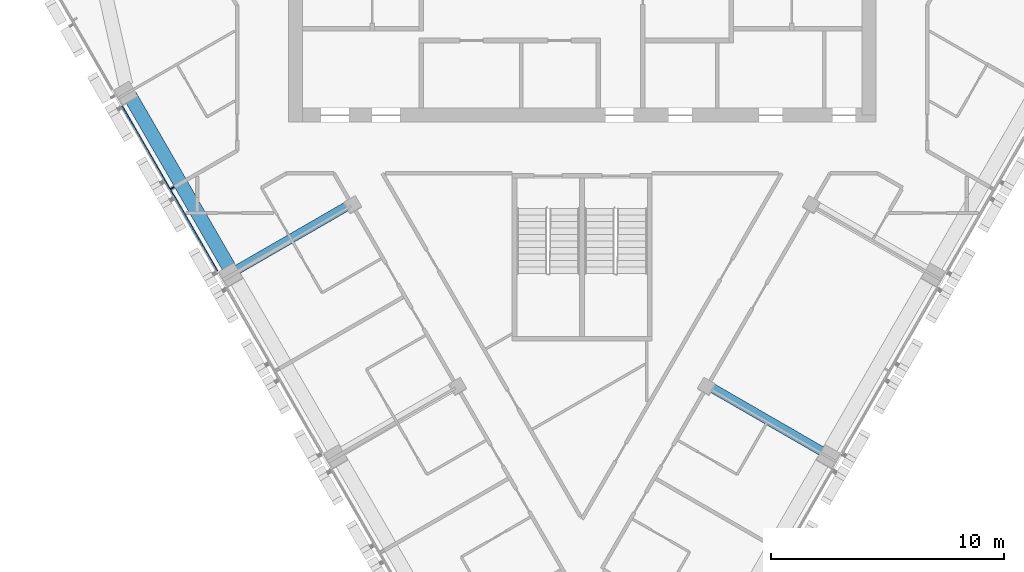
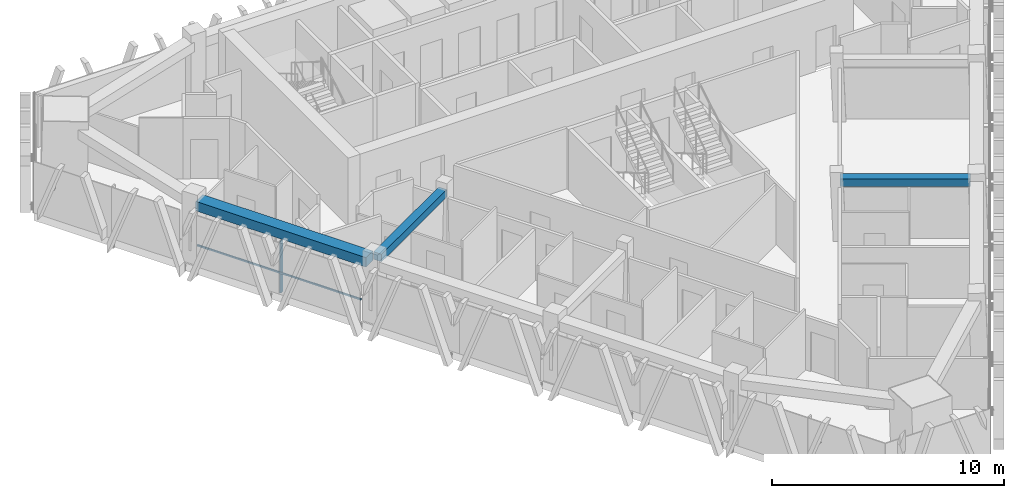
# One storey, part 3 of 15: 3 beams, 2 members, 1 element without a shape of its own.
"""IFC4 building model written with IfcOpenShell, lengths in metres."""

import ifcopenshell
import ifcopenshell.guid

model = None  # the IFC model being written
_history = None  # IfcOwnerHistory: only IFC2X3 demands one
_inside = {}  # id of a spatial element -> (the spatial element, [elements in it])
_under = {}  # id of a project, library or spatial element -> (it, [spatial elements below it])
_declared = {}  # id of a project -> (the project, [libraries it declares])
_typed = {}  # id of a type object -> (the type object, [elements of that type])
_made_of = {}  # id of a material, layer set ... -> (it, [elements and type objects made of it])


def new_model(schema):
    """Start an empty IFC model of exactly this schema.

    Asked for "IFC4X3", IfcOpenShell would pick the latest addendum, in which some entities
    have other attributes; the version numbers below select the first issue.
    IFC2X3 requires an IfcOwnerHistory on every rooted entity: one is made here for all.
    """
    global model, _history
    if schema == "IFC4X3":
        model = ifcopenshell.file(schema_version=(4, 3, 0, 0))
    else:
        model = ifcopenshell.file(schema=schema)
    _inside.clear()
    _under.clear()
    _declared.clear()
    _typed.clear()
    _made_of.clear()
    _history = None
    if model.schema == "IFC2X3":
        org = make("IfcOrganization", Name="unknown")
        user = make(
            "IfcPersonAndOrganization",
            ThePerson=make("IfcPerson", FamilyName="unknown"),
            TheOrganization=org,
        )
        app = make(
            "IfcApplication",
            ApplicationDeveloper=org,
            Version="unknown",
            ApplicationFullName="unknown",
            ApplicationIdentifier="unknown",
        )
        _history = make(
            "IfcOwnerHistory",
            OwningUser=user,
            OwningApplication=app,
            ChangeAction="ADDED",
            CreationDate=0,
        )
    return model


def make(cls, **values):
    """One entity of the class cls with the attributes given. An attribute that is None is left unset."""
    return model.create_entity(
        cls, **{name: value for name, value in values.items() if value is not None}
    )


def rooted(cls, **values):
    """An entity with a GlobalId (a new one), such as an element, a storey or a relation."""
    return make(cls, GlobalId=ifcopenshell.guid.new(), OwnerHistory=_history, **values)


def si_unit(unit_type, name, prefix=None):
    """IfcSIUnit, for example si_unit("LENGTHUNIT", "METRE", prefix="MILLI")."""
    return make("IfcSIUnit", UnitType=unit_type, Prefix=prefix, Name=name)


def assignment(units):
    """IfcUnitAssignment: the units of a project."""
    return None if units is None else make("IfcUnitAssignment", Units=units)


def point(xyz):
    """IfcCartesianPoint."""
    return None if xyz is None else make("IfcCartesianPoint", Coordinates=xyz)


def direction(xyz):
    """IfcDirection."""
    return None if xyz is None else make("IfcDirection", DirectionRatios=xyz)


def frame(location, z_axis=None, x_axis=None):
    """IfcAxis2Placement3D, a coordinate frame: its origin and axes. An axis left out is left unset."""
    return make(
        "IfcAxis2Placement3D",
        Location=point(location),
        Axis=direction(z_axis),
        RefDirection=direction(x_axis),
    )


def frame_2d(location, x_axis=None):
    """IfcAxis2Placement2D, a coordinate frame in the plane: its origin and x axis."""
    return make(
        "IfcAxis2Placement2D", Location=point(location), RefDirection=direction(x_axis)
    )


def origin():
    """The frame at (0, 0, 0) with its axes left unset."""
    return frame((0.0, 0.0, 0.0))


def origin_2d():
    """The frame at (0, 0) in the plane with its x axis left unset."""
    return frame_2d((0.0, 0.0))


def place(relative_to, where):
    """IfcLocalPlacement: puts the frame where relative to a parent placement (None: the world)."""
    return make(
        "IfcLocalPlacement", PlacementRelTo=relative_to, RelativePlacement=where
    )


def context(
    kind, dimensions, precision=None, world=None, true_north=None, identifier=None
):
    """IfcGeometricRepresentationContext, for example the 3D "Model" context."""
    return make(
        "IfcGeometricRepresentationContext",
        ContextIdentifier=identifier,
        ContextType=kind,
        CoordinateSpaceDimension=dimensions,
        Precision=precision,
        WorldCoordinateSystem=world,
        TrueNorth=true_north,
    )


def subcontext(parent, identifier, kind, view, scale=None):
    """IfcGeometricRepresentationSubContext, for example "Body" below "Model"."""
    return make(
        "IfcGeometricRepresentationSubContext",
        ContextIdentifier=identifier,
        ContextType=kind,
        ParentContext=parent,
        TargetScale=scale,
        TargetView=view,
    )


def project(units=None, contexts=None):
    """IfcProject with its units and contexts."""
    return rooted(
        "IfcProject",
        Name="project",
        RepresentationContexts=contexts,
        UnitsInContext=assignment(units),
    )


def spatial(cls, under=None, at=None, **own):
    """A site, building, storey or space (cls), placed at a placement, below another one or the project."""
    s = rooted(cls, ObjectPlacement=at, **own)
    if under is not None:
        _under.setdefault(under.id(), (under, []))[1].append(s)
    return s


def profile(cls, at=None, kind="AREA", **sizes):
    """A parametric profile (cls). Its sizes go by their IFC names, for example OverallWidth=200.0."""
    return make(cls, ProfileType=kind, Position=at, **sizes)


def rectangle(**sizes):
    """IfcRectangleProfileDef."""
    return profile("IfcRectangleProfileDef", **sizes)


def extrude(swept, where, along, depth):
    """IfcExtrudedAreaSolid: the profile swept, set in the frame where, extruded along a direction by depth."""
    return make(
        "IfcExtrudedAreaSolid",
        SweptArea=swept,
        Position=where,
        ExtrudedDirection=direction(along),
        Depth=depth,
    )


def shape(context_of_items, identifier, shape_type, items):
    """IfcShapeRepresentation: the items that make up one representation, for example the "Body"."""
    return make(
        "IfcShapeRepresentation",
        ContextOfItems=context_of_items,
        RepresentationIdentifier=identifier,
        RepresentationType=shape_type,
        Items=items,
    )


def material(Name=None, Category=None):
    """IfcMaterial."""
    return make("IfcMaterial", Name=Name, Category=Category)


def layer(
    of_material, thickness, ventilated=None, Name=None, Category=None, Priority=None
):
    """IfcMaterialLayer: one layer of a wall or slab, of a material (None: an air gap)."""
    return make(
        "IfcMaterialLayer",
        Material=of_material,
        LayerThickness=thickness,
        IsVentilated=ventilated,
        Name=Name,
        Category=Category,
        Priority=Priority,
    )


def layer_set(layers, Name=None):
    """IfcMaterialLayerSet."""
    return make("IfcMaterialLayerSet", MaterialLayers=layers, LayerSetName=Name)


def material_profile(
    of_material, cross_section, Name=None, Category=None, Priority=None
):
    """IfcMaterialProfile: a cross section and its material."""
    return make(
        "IfcMaterialProfile",
        Name=Name,
        Material=of_material,
        Profile=cross_section,
        Priority=Priority,
        Category=Category,
    )


def profile_set(profiles, Name=None, composite=None):
    """IfcMaterialProfileSet."""
    return make(
        "IfcMaterialProfileSet",
        Name=Name,
        MaterialProfiles=profiles,
        CompositeProfile=composite,
    )


def made_of(thing, what):
    """Note that an element or type object is made of a material, layer set ...; save() writes the relation."""
    if what is not None:
        _made_of.setdefault(what.id(), (what, []))[1].append(thing)
    return thing


def type_object(cls, material=None, **own):
    """A type object (cls), such as IfcWallType, which elements share."""
    return made_of(rooted(cls, **own), material)


def element(
    cls,
    number,
    at=None,
    inside=None,
    cuts=None,
    type_object=None,
    material=None,
    context=None,
    identifier="Body",
    shape_type=None,
    held_by="IfcProductDefinitionShape",
    body=None,
    shapes=None,
    **own,
):
    """One element of the class cls, such as IfcWall. Its Tag is "e" and its number.

    at: its placement. inside: the storey or other place that contains it. cuts: it is an
    opening in that element (IfcRelVoidsElement). A single representation is given by context,
    identifier, shape_type and body (its items); several are given by shapes. held_by: the class
    of the entity that holds the representations. save() writes the other relations.
    """
    e = rooted(cls, Tag="e%d" % number, ObjectPlacement=at, **own)
    if body is not None:
        shapes = [shape(context, identifier, shape_type, body)]
    if shapes is not None:
        e.Representation = make(held_by, Representations=shapes)
    if inside is not None:
        _inside.setdefault(inside.id(), (inside, []))[1].append(e)
    if cuts is not None:
        rooted(
            "IfcRelVoidsElement", RelatingBuildingElement=cuts, RelatedOpeningElement=e
        )
    if type_object is not None:
        _typed.setdefault(type_object.id(), (type_object, []))[1].append(e)
    return made_of(e, material)


def aggregate(whole, parts):
    """IfcRelAggregates: a whole, such as a stair, and the parts it consists of."""
    return rooted("IfcRelAggregates", RelatingObject=whole, RelatedObjects=parts)


def save(model, path):
    """Write the relations noted so far, then the file.

    IfcRelAggregates (storeys below a building ...), IfcRelContainedInSpatialStructure (elements
    in a storey), IfcRelDefinesByType, IfcRelAssociatesMaterial and IfcRelDeclares: one each for
    every whole, place, type object, material and project.
    """
    for whole, parts in _under.values():
        aggregate(whole, parts)
    for where, things in _inside.values():
        rooted(
            "IfcRelContainedInSpatialStructure",
            RelatedElements=things,
            RelatingStructure=where,
        )
    for kind, things in _typed.values():
        rooted("IfcRelDefinesByType", RelatedObjects=things, RelatingType=kind)
    for what, things in _made_of.values():
        rooted("IfcRelAssociatesMaterial", RelatedObjects=things, RelatingMaterial=what)
    for by, libraries in _declared.values():
        rooted("IfcRelDeclares", RelatingContext=by, RelatedDefinitions=libraries)
    model.write(path)


model = new_model("IFC4")

# Units and contexts
model_context = context("Model", 3, precision=1e-05, world=origin(), true_north=direction((0.0, 1.0)))
body_context = subcontext(model_context, "Body", "Model", "MODEL_VIEW")
ifc_project = project(units=[si_unit("LENGTHUNIT", "METRE"), si_unit("AREAUNIT", "SQUARE_METRE"), si_unit("VOLUMEUNIT", "CUBIC_METRE"), si_unit("PLANEANGLEUNIT", "RADIAN"), si_unit("MASSUNIT", "GRAM", prefix="KILO")], contexts=[model_context])

# Site, building, storey
site_placement = place(None, origin())
site = spatial("IfcSite", under=ifc_project, at=site_placement, CompositionType="ELEMENT")
building_placement = place(site_placement, origin())
building = spatial("IfcBuilding", under=site, at=building_placement, Name="Altiplano Prism Tower", CompositionType="ELEMENT")
storey_placement = place(building_placement, frame((0.0, 0.0, 250.0)))
storey = spatial("IfcBuildingStorey", under=building, at=storey_placement, Name="L64", CompositionType="ELEMENT", Elevation=250.0)

# Curtain wall, members
ifc_material_1 = material(Name="Aluminium and glass", Category="aluminium")
ifc_layer = layer(ifc_material_1, 0.280029296875)
ifc_layer_set = layer_set([ifc_layer], Name="Aluminium and glass")
curtain_wall_type = type_object("IfcCurtainWallType", Name="CW1 typical co-living unitised curtain wall", PredefinedType="NOTDEFINED", material=ifc_layer_set)
curtain_wall_placement = place(storey_placement, origin())
curtain_wall = element("IfcCurtainWall", 1, at=curtain_wall_placement, inside=storey, type_object=curtain_wall_type, Name="CW1 curtain wall south-west face L64", PredefinedType="NOTDEFINED")
ifc_material_2 = material(Name="Aluminium", Category="aluminium")
ifc_material_profile_1 = material_profile(ifc_material_2, rectangle(XDim=0.179931640625, YDim=0.06494140625, at=origin_2d()), Name="CW1 mullion 65 x 180")
ifc_profile_set_1 = profile_set([ifc_material_profile_1], Name="Aluminium")
member_type_1 = type_object("IfcMemberType", Name="CW1 mullion 65 x 180", PredefinedType="MULLION", material=ifc_profile_set_1)
member_1_placement = place(storey_placement, frame((67.432861328125, 89.971435546875, 0.0), z_axis=(0.0, 0.0, 1.0), x_axis=(0.866025403636, 0.500000000257, 0.0)))
member_1 = element("IfcMember", 2, at=member_1_placement, type_object=member_type_1, Name="CW1 mullion", PredefinedType="MULLION", context=body_context, shape_type="SweptSolid", body=[
    extrude(rectangle(XDim=0.179931640625, YDim=0.06494140625, at=origin_2d()), origin(), (0.0, 0.0, 1.0), 2.699951171875),
])
ifc_material_profile_2 = material_profile(ifc_material_2, rectangle(XDim=0.06005859375, YDim=0.080078125, at=origin_2d()), Name="CW1 transom 80 x 60")
ifc_profile_set_2 = profile_set([ifc_material_profile_2], Name="Aluminium")
member_type_2 = type_object("IfcMemberType", Name="CW1 transom 80 x 60", PredefinedType="USERDEFINED", material=ifc_profile_set_2)
member_2_placement = place(storey_placement, frame((65.266845703125, 93.483154296875, 1.10009765625), z_axis=(0.500008722908, -0.866020367552, 0.0), x_axis=(0.866020367552, 0.500008722908, 0.0)))
member_2 = element("IfcMember", 3, at=member_2_placement, type_object=member_type_2, Name="CW1 transom", ObjectType="TRANSOM", PredefinedType="USERDEFINED", context=body_context, shape_type="SweptSolid", body=[
    extrude(rectangle(XDim=0.06005859375, YDim=0.080078125, at=origin_2d()), origin(), (0.0, 0.0, 1.0), 8.169677734375),
])
aggregate(curtain_wall, [member_1, member_2])

# Beams
ifc_material_3 = material(Name="Concrete C60/75", Category="concrete")
ifc_material_profile_3 = material_profile(ifc_material_3, rectangle(XDim=0.60009765625, YDim=0.5, at=origin_2d()), Name="Edge beam 600x500")
ifc_profile_set_3 = profile_set([ifc_material_profile_3], Name="Concrete C60/75")
beam_type_1 = type_object("IfcBeamType", Name="Edge beam 600x500", PredefinedType="SPANDREL", material=ifc_profile_set_3)
beam_placement = place(storey_placement, frame((65.615478515625, 93.916259765625, 2.949951171875), z_axis=(0.500011199594, -0.866018937599, 0.0), x_axis=(0.866018937599, 0.500011199594, 0.0)))
element("IfcBeam", 4, at=beam_placement, inside=storey, type_object=beam_type_1, Name="Edge beam P11-P12 L65", PredefinedType="SPANDREL", context=body_context, shape_type="SweptSolid", body=[
    extrude(rectangle(XDim=0.60009765625, YDim=0.5, at=origin_2d()), origin(), (0.0, 0.0, 1.0), 8.489990234375),
])
ifc_material_profile_4 = material_profile(ifc_material_3, rectangle(XDim=0.39990234375, YDim=0.39990234375, at=origin_2d()), Name="Tie beam 400x400")
ifc_profile_set_4 = profile_set([ifc_material_profile_4], Name="Concrete C60/75")
beam_type_2 = type_object("IfcBeamType", Name="Tie beam 400x400", PredefinedType="BEAM", material=ifc_profile_set_4)
for number, where, z_axis, x_axis, name in (
    (5, (75.09326171875, 89.290283203125, 3.0), (-0.866015459562, -0.500017223503, 0.0), (0.500017223503, -0.866015459562, 0.0), "Tie beam I12 L65"),
    (6, (90.40673828125, 81.49609375, 3.0), (0.866015459562, -0.500017223503, 0.0), (0.500017223503, 0.866015459562, 0.0), "Tie beam I22 L65"),
):
    element("IfcBeam", number, at=place(storey_placement, frame(where, z_axis=z_axis, x_axis=x_axis)), inside=storey, type_object=beam_type_2, Name=name, PredefinedType="BEAM", context=body_context, shape_type="SweptSolid", body=[
        extrude(rectangle(XDim=0.39990234375, YDim=0.39990234375, at=origin_2d()), origin(), (0.0, 0.0, 1.0), 5.639892578125),
    ])

save(model, "model.ifc")
